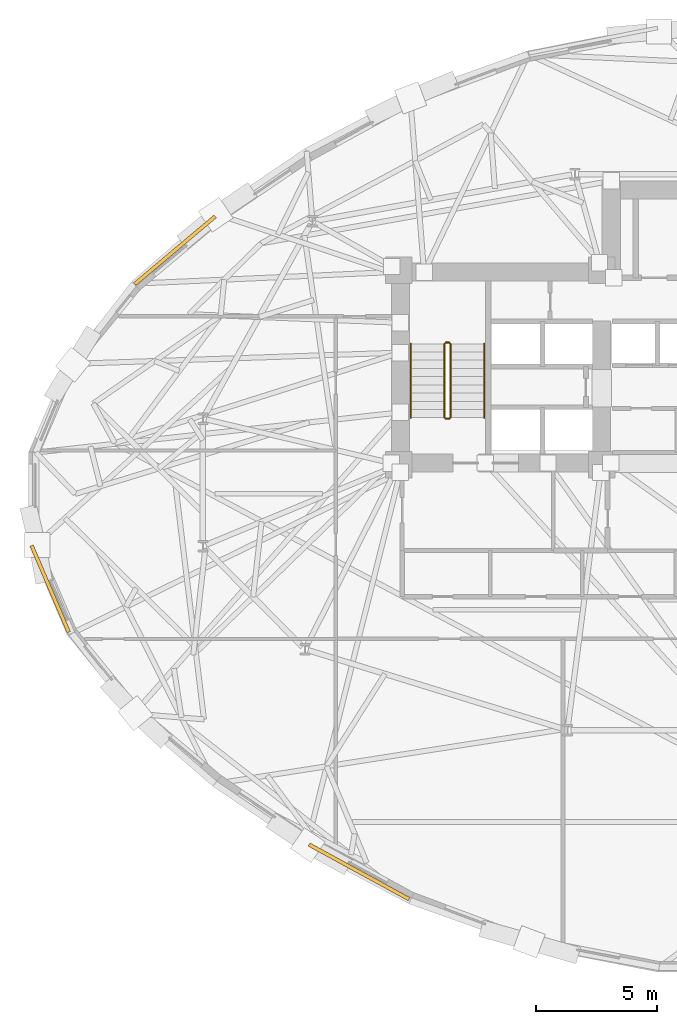
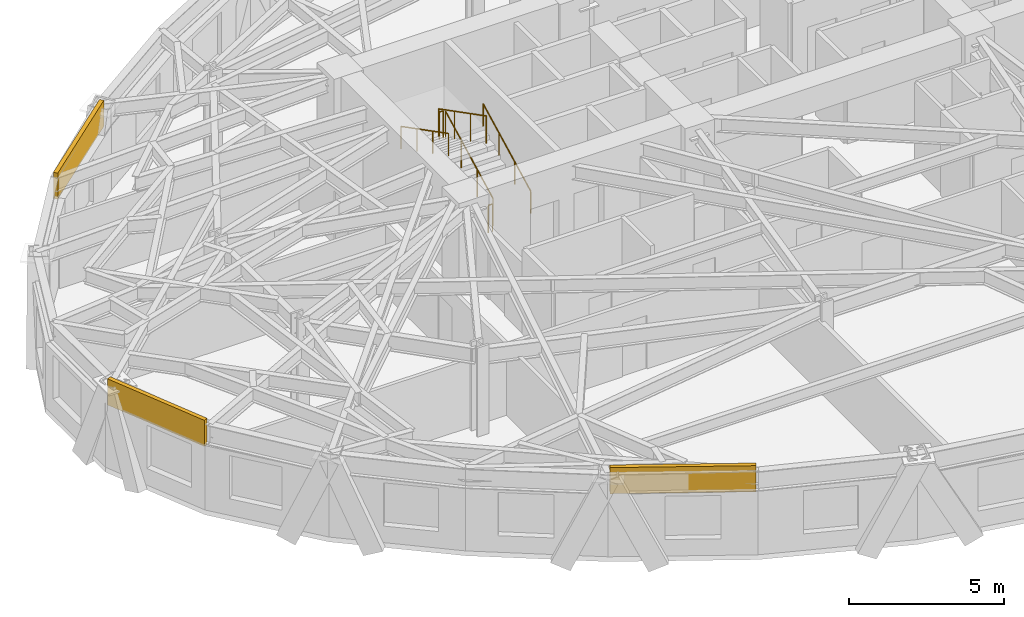
# One storey, part 11 of 14: 6 railings, 3 coverings.
"""IFC4 building model written with IfcOpenShell, lengths in metres."""

from ifc_helpers import new_model, si_unit, direction, frame, origin, origin_2d, place, context, subcontext, project, spatial, rectangle, circle, extrude, material, layer, layer_set, type_object, element, save


model = new_model("IFC4")

# Units and contexts
model_context = context("Model", 3, precision=1e-05, world=origin(), true_north=direction((0.0, 1.0)))
body_context = subcontext(model_context, "Body", "Model", "MODEL_VIEW")
ifc_project = project(units=[si_unit("LENGTHUNIT", "METRE"), si_unit("AREAUNIT", "SQUARE_METRE"), si_unit("VOLUMEUNIT", "CUBIC_METRE"), si_unit("PLANEANGLEUNIT", "RADIAN"), si_unit("MASSUNIT", "GRAM", prefix="KILO")], contexts=[model_context])

# Site, building, storey
site_placement = place(None, origin())
site = spatial("IfcSite", under=ifc_project, at=site_placement, CompositionType="ELEMENT")
building_placement = place(site_placement, origin())
building = spatial("IfcBuilding", under=site, at=building_placement, Name="Keldmark Tower", CompositionType="ELEMENT")
storey_placement = place(building_placement, frame((0.0, 0.0, 89.60009765625)))
storey = spatial("IfcBuildingStorey", under=building, at=storey_placement, Name="L23", CompositionType="ELEMENT", Elevation=89.60009765625)

# Coverings
ifc_material_1 = material(Name="Honed Kasota Buff Dolomitic Limestone", Category="masonry")
ifc_layer = layer(ifc_material_1, 0.074951171875)
ifc_layer_set = layer_set([ifc_layer], Name="Honed Kasota Buff Dolomitic Limestone")
covering_type = type_object("IfcCoveringType", Name="Kasota Buff Limestone Spandrel Cladding Band", PredefinedType="CLADDING", material=ifc_layer_set)
covering_1_placement = place(storey_placement, frame((-22.853515625, 10.279052734375, 2.45166015625), z_axis=(0.0, 0.0, 1.0), x_axis=(-0.765550591836, -0.643375699991, 0.0)))
element("IfcCovering", 1, at=covering_1_placement, inside=storey, type_object=covering_type, Name="L23 Kasota Limestone Spandrel Band 13", PredefinedType="CLADDING", context=body_context, shape_type="SweptSolid", body=[
    extrude(rectangle(XDim=4.34912109375, YDim=0.14990234375, at=origin_2d()), origin(), (0.0, 0.0, 1.0), 1.028076171875),
])
covering_2_placement = place(storey_placement, frame((-28.018310546875, -3.7314453125, 2.45166015625), z_axis=(0.0, 0.0, 1.0), x_axis=(0.393717310702, -0.919231569983, 0.0)))
element("IfcCovering", 2, at=covering_2_placement, inside=storey, type_object=covering_type, Name="L23 Kasota Limestone Spandrel Band 17", PredefinedType="CLADDING", context=body_context, shape_type="SweptSolid", body=[
    extrude(rectangle(XDim=3.8935546875, YDim=0.14990234375, at=origin_2d()), origin(), (0.0, 0.0, 1.0), 1.028076171875),
])
covering_3_placement = place(storey_placement, frame((-15.23583984375, -15.4423828125, 2.45166015625), z_axis=(0.0, 0.0, 1.0), x_axis=(0.877447723866, -0.479672275498, 0.0)))
element("IfcCovering", 3, at=covering_3_placement, inside=storey, type_object=covering_type, Name="L23 Kasota Limestone Spandrel Band 21", PredefinedType="CLADDING", context=body_context, shape_type="SweptSolid", body=[
    extrude(rectangle(XDim=4.714599609375, YDim=0.14990234375, at=origin_2d()), origin(), (0.0, 0.0, 1.0), 1.028076171875),
])

# Railings
ifc_material_2 = material(Name="Painted Steel ASTM A500 Grade B", Category="steel")
railing_type_1 = type_object("IfcRailingType", Name="Painted Steel Stair Well Guard 1100 mm", PredefinedType="GUARDRAIL", material=ifc_material_2)
railing_1_placement = place(storey_placement, frame((-11.449951171875, 3.35009765625, 0.1748046875)))
element("IfcRailing", 4, at=railing_1_placement, inside=storey, type_object=railing_type_1, Name="L23 ST1 stair guard 1", PredefinedType="GUARDRAIL", context=body_context, shape_type="SweptSolid", body=[
    extrude(circle(Radius=0.02392578125, at=origin_2d()), frame((0.0, 0.0, 1.076171875), z_axis=(0.0, 0.889101422983, 0.457710235465), x_axis=(-1.0, 0.0, 0.0)), (0.0, 0.0, 1.0), 3.44140625),
    extrude(circle(Radius=0.02099609375, at=origin_2d()), origin(), (0.0, 0.0, 1.0), 1.052001953125),
    extrude(circle(Radius=0.02099609375, at=origin_2d()), frame((0.0, 1.02001953125, 0.525146484375)), (0.0, 0.0, 1.0), 1.052001953125),
    extrude(circle(Radius=0.02099609375, at=origin_2d()), frame((0.0, 2.039794921875, 1.050048828125)), (0.0, 0.0, 1.0), 1.052001953125),
    extrude(circle(Radius=0.02099609375, at=origin_2d()), frame((0.0, 3.059814453125, 1.5751953125)), (0.0, 0.0, 1.0), 1.052001953125),
])
railing_2_placement = place(storey_placement, frame((-11.5, 6.4599609375, 1.75)))
element("IfcRailing", 5, at=railing_2_placement, inside=storey, type_object=railing_type_1, Name="L23 ST1 stair guard 2", PredefinedType="GUARDRAIL", context=body_context, shape_type="SweptSolid", body=[
    extrude(circle(Radius=0.02392578125, at=origin_2d()), frame((0.0, 0.0, 1.076171875), z_axis=(-1.0, 0.0, 0.0), x_axis=(0.0, -1.0, 0.0)), (0.0, 0.0, 1.0), 0.14990234375),
    extrude(circle(Radius=0.02099609375, at=origin_2d()), origin(), (0.0, 0.0, 1.0), 1.052001953125),
    extrude(circle(Radius=0.02099609375, at=origin_2d()), frame((-0.14990234375, 0.0, 0.0)), (0.0, 0.0, 1.0), 1.052001953125),
])
railing_3_placement = place(storey_placement, frame((-11.699951171875, 6.409912109375, 1.9248046875)))
element("IfcRailing", 6, at=railing_3_placement, inside=storey, type_object=railing_type_1, Name="L23 ST1 stair guard 3", PredefinedType="GUARDRAIL", context=body_context, shape_type="SweptSolid", body=[
    extrude(circle(Radius=0.02392578125, at=origin_2d()), frame((0.0, 0.0, 1.076171875), z_axis=(0.0, -0.889101422983, 0.457710235465), x_axis=(1.0, 0.0, 0.0)), (0.0, 0.0, 1.0), 3.44140625),
    extrude(circle(Radius=0.02099609375, at=origin_2d()), origin(), (0.0, 0.0, 1.0), 1.052001953125),
    extrude(circle(Radius=0.02099609375, at=origin_2d()), frame((0.0, -1.02001953125, 0.525146484375)), (0.0, 0.0, 1.0), 1.052001953125),
    extrude(circle(Radius=0.02099609375, at=origin_2d()), frame((0.0, -2.039794921875, 1.050048828125)), (0.0, 0.0, 1.0), 1.052001953125),
    extrude(circle(Radius=0.02099609375, at=origin_2d()), frame((0.0, -3.059814453125, 1.5751953125)), (0.0, 0.0, 1.0), 1.052001953125),
])
railing_4_placement = place(storey_placement, frame((-11.5, 3.300048828125, 0.0)))
element("IfcRailing", 7, at=railing_4_placement, inside=storey, type_object=railing_type_1, Name="L23 ST1 stair guard 4", PredefinedType="GUARDRAIL", context=body_context, shape_type="SweptSolid", body=[
    extrude(circle(Radius=0.02392578125, at=origin_2d()), frame((0.0, 0.0, 1.076171875), z_axis=(-1.0, 0.0, 0.0), x_axis=(0.0, -1.0, 0.0)), (0.0, 0.0, 1.0), 0.14990234375),
    extrude(circle(Radius=0.02099609375, at=origin_2d()), origin(), (0.0, 0.0, 1.0), 1.052001953125),
    extrude(circle(Radius=0.02099609375, at=origin_2d()), frame((-0.14990234375, 0.0, 0.0)), (0.0, 0.0, 1.0), 1.052001953125),
])
ifc_material_3 = material(Name="Stainless Steel AISI 316L", Category="steel")
railing_type_2 = type_object("IfcRailingType", Name="Stainless Steel Stair Handrail 900 mm", PredefinedType="HANDRAIL", material=ifc_material_3)
railing_5_placement = place(storey_placement, frame((-10.050048828125, 3.35009765625, 0.1748046875)))
element("IfcRailing", 8, at=railing_5_placement, inside=storey, type_object=railing_type_2, Name="L23 ST1 stair handrail 1", PredefinedType="HANDRAIL", context=body_context, shape_type="SweptSolid", body=[
    extrude(circle(Radius=0.02392578125, at=origin_2d()), frame((0.0, 0.0, 0.8759765625), z_axis=(0.0, 0.889101422983, 0.457710235465), x_axis=(-1.0, 0.0, 0.0)), (0.0, 0.0, 1.0), 3.44140625),
    extrude(circle(Radius=0.02099609375, at=origin_2d()), origin(), (0.0, 0.0, 1.0), 0.851806640625),
    extrude(circle(Radius=0.02099609375, at=origin_2d()), frame((0.0, 1.02001953125, 0.525146484375)), (0.0, 0.0, 1.0), 0.851806640625),
    extrude(circle(Radius=0.02099609375, at=origin_2d()), frame((0.0, 2.039794921875, 1.050048828125)), (0.0, 0.0, 1.0), 0.851806640625),
    extrude(circle(Radius=0.02099609375, at=origin_2d()), frame((0.0, 3.059814453125, 1.5751953125)), (0.0, 0.0, 1.0), 0.851806640625),
])
railing_6_placement = place(storey_placement, frame((-13.10009765625, 6.409912109375, 1.9248046875)))
element("IfcRailing", 9, at=railing_6_placement, inside=storey, type_object=railing_type_2, Name="L23 ST1 stair handrail 2", PredefinedType="HANDRAIL", context=body_context, shape_type="SweptSolid", body=[
    extrude(circle(Radius=0.02392578125, at=origin_2d()), frame((0.0, 0.0, 0.8759765625), z_axis=(0.0, -0.889101422983, 0.457710235465), x_axis=(1.0, 0.0, 0.0)), (0.0, 0.0, 1.0), 3.44140625),
    extrude(circle(Radius=0.02099609375, at=origin_2d()), origin(), (0.0, 0.0, 1.0), 0.851806640625),
    extrude(circle(Radius=0.02099609375, at=origin_2d()), frame((0.0, -1.02001953125, 0.525146484375)), (0.0, 0.0, 1.0), 0.851806640625),
    extrude(circle(Radius=0.02099609375, at=origin_2d()), frame((0.0, -2.039794921875, 1.050048828125)), (0.0, 0.0, 1.0), 0.851806640625),
    extrude(circle(Radius=0.02099609375, at=origin_2d()), frame((0.0, -3.059814453125, 1.5751953125)), (0.0, 0.0, 1.0), 0.851806640625),
])

save(model, "model.ifc")
